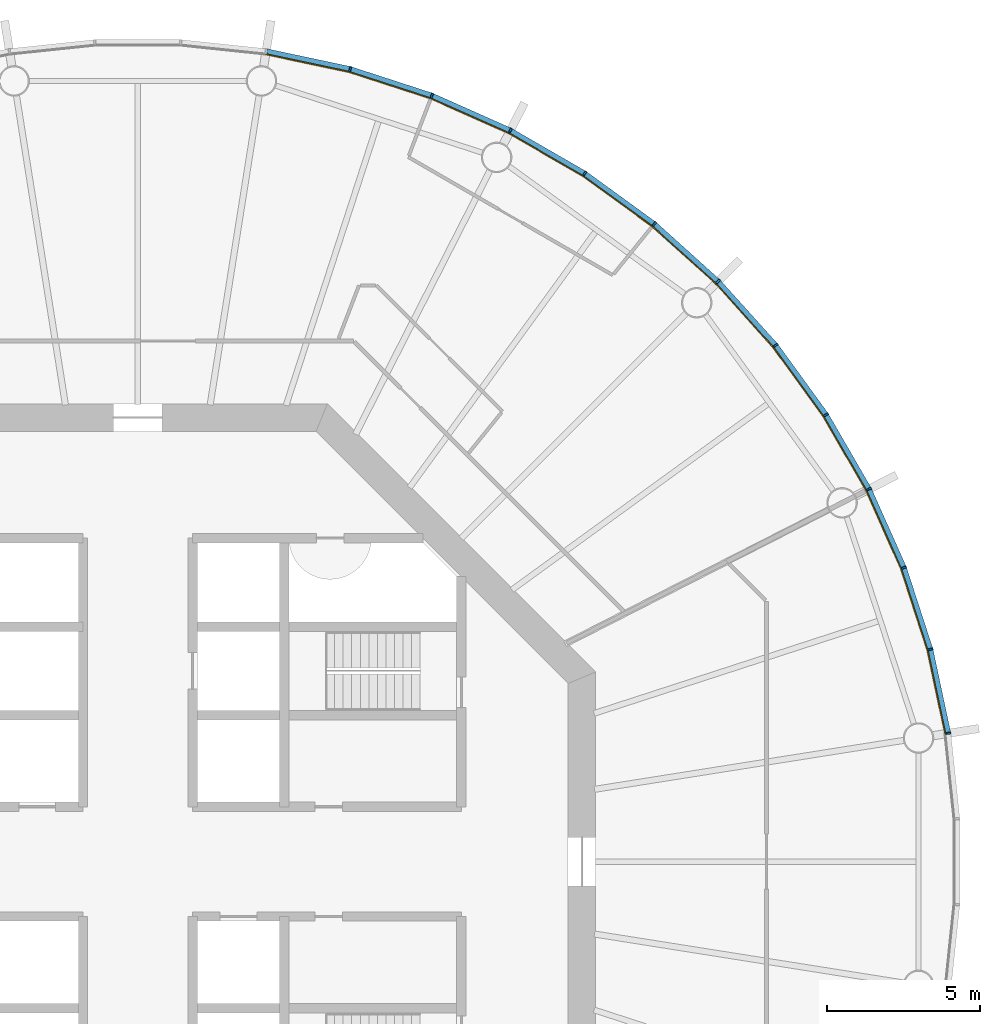
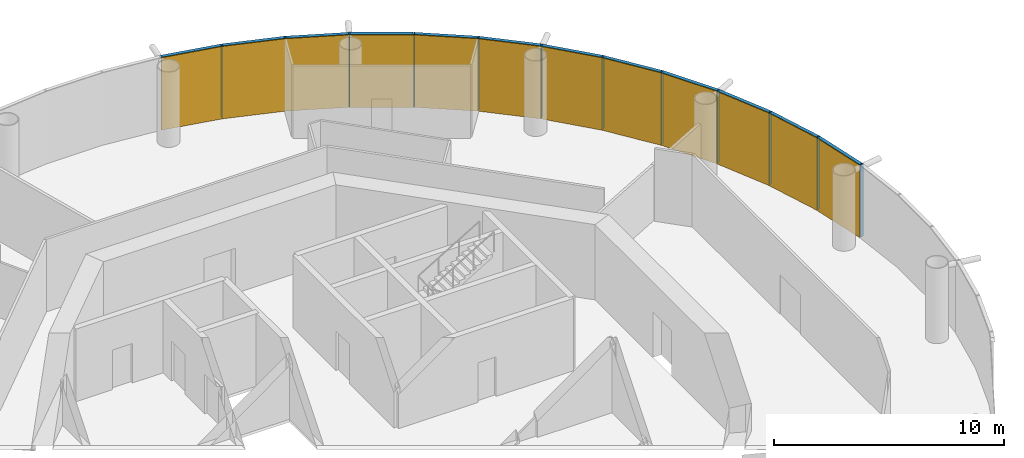
# One storey, part 12 of 13: 24 members, 4 curtain walls.
"""IFC4 building model written with IfcOpenShell, lengths in metres."""

from ifc_helpers import new_model, si_unit, direction, frame, origin, origin_2d, place, context, subcontext, project, spatial, polyline, rectangle, outline, extrude, material, layer, layer_set, material_profile, profile_set, type_object, element, aggregate, save


model = new_model("IFC4")

# Units and contexts
model_context = context("Model", 3, precision=1e-05, world=origin(), true_north=direction((0.0, 1.0)))
body_context = subcontext(model_context, "Body", "Model", "MODEL_VIEW")
ifc_project = project(units=[si_unit("LENGTHUNIT", "METRE"), si_unit("AREAUNIT", "SQUARE_METRE"), si_unit("VOLUMEUNIT", "CUBIC_METRE"), si_unit("PLANEANGLEUNIT", "RADIAN"), si_unit("MASSUNIT", "GRAM", prefix="KILO")], contexts=[model_context])

# Member
ifc_material_1 = material(Name="Anodised aluminium", Category="aluminium")
ifc_material_profile_1 = material_profile(ifc_material_1, rectangle(XDim=0.06005859375, YDim=0.169921875, at=origin_2d()), Name="Mullion 60 x 170 mm anodised aluminium")
ifc_profile_set_1 = profile_set([ifc_material_profile_1], Name="Anodised aluminium")
member_type_1 = type_object("IfcMemberType", Name="Mullion 60 x 170 mm anodised aluminium", PredefinedType="MULLION", material=ifc_profile_set_1)
site_placement = place(None, origin())
building_placement = place(site_placement, origin())
storey_placement = place(building_placement, frame((0.0, 0.0, 226.0)))
member_1_placement = place(storey_placement, frame((116.553955078125, 84.205810546875, 0.0), z_axis=(0.0, 0.0, 1.0), x_axis=(-0.15643446504, 0.987688340595, 0.0)))
member_1 = element("IfcMember", 1, at=member_1_placement, type_object=member_type_1, Name="MULLION L52-00", PredefinedType="MULLION", context=body_context, shape_type="SweptSolid", body=[
    extrude(rectangle(XDim=0.06005859375, YDim=0.169921875, at=origin_2d()), origin(), (0.0, 0.0, 1.0), 3.85009765625),
])

member_2_placement = place(storey_placement, frame((115.968994140625, 86.958251953125, 0.0), z_axis=(0.0, 0.0, 1.0), x_axis=(-0.258819045103, 0.965925826289, 0.0)))
member_2 = element("IfcMember", 2, at=member_2_placement, type_object=member_type_1, Name="MULLION L52-01", PredefinedType="MULLION", context=body_context, shape_type="SweptSolid", body=[
    extrude(rectangle(XDim=0.06005859375, YDim=0.169921875, at=origin_2d()), origin(), (0.0, 0.0, 1.0), 3.85009765625),
])

member_3_placement = place(storey_placement, frame((115.099365234375, 89.634765625, 0.0), z_axis=(0.0, 0.0, 1.0), x_axis=(-0.358367949545, 0.933580426497, 0.0)))
member_3 = element("IfcMember", 3, at=member_3_placement, type_object=member_type_1, Name="MULLION L52-02", PredefinedType="MULLION", context=body_context, shape_type="SweptSolid", body=[
    extrude(rectangle(XDim=0.06005859375, YDim=0.169921875, at=origin_2d()), origin(), (0.0, 0.0, 1.0), 3.85009765625),
])

member_4_placement = place(storey_placement, frame((113.95458984375, 92.20556640625, 0.0), z_axis=(0.0, 0.0, 1.0), x_axis=(-0.45399049974, 0.891006524188, 0.0)))
member_4 = element("IfcMember", 4, at=member_4_placement, type_object=member_type_1, Name="MULLION L52-03", PredefinedType="MULLION", context=body_context, shape_type="SweptSolid", body=[
    extrude(rectangle(XDim=0.06005859375, YDim=0.169921875, at=origin_2d()), origin(), (0.0, 0.0, 1.0), 3.85009765625),
])

member_5_placement = place(storey_placement, frame((112.547607421875, 94.642578125, 0.0), z_axis=(0.0, 0.0, 1.0), x_axis=(-0.544639035015, 0.838670567945, 0.0)))
member_5 = element("IfcMember", 5, at=member_5_placement, type_object=member_type_1, Name="MULLION L52-04", PredefinedType="MULLION", context=body_context, shape_type="SweptSolid", body=[
    extrude(rectangle(XDim=0.06005859375, YDim=0.169921875, at=origin_2d()), origin(), (0.0, 0.0, 1.0), 3.85009765625),
])

member_6_placement = place(storey_placement, frame((110.8935546875, 96.919189453125, 0.0), z_axis=(0.0, 0.0, 1.0), x_axis=(-0.62932039105, 0.777145961457, 0.0)))
member_6 = element("IfcMember", 6, at=member_6_placement, type_object=member_type_1, Name="MULLION L52-05", PredefinedType="MULLION", context=body_context, shape_type="SweptSolid", body=[
    extrude(rectangle(XDim=0.06005859375, YDim=0.169921875, at=origin_2d()), origin(), (0.0, 0.0, 1.0), 3.85009765625),
])

member_7_placement = place(storey_placement, frame((109.010498046875, 99.010498046875, 0.0), z_axis=(0.0, 0.0, 1.0), x_axis=(-0.707106781187, 0.707106781187, 0.0)))
member_7 = element("IfcMember", 7, at=member_7_placement, type_object=member_type_1, Name="MULLION L52-06", PredefinedType="MULLION", context=body_context, shape_type="SweptSolid", body=[
    extrude(rectangle(XDim=0.06005859375, YDim=0.169921875, at=origin_2d()), origin(), (0.0, 0.0, 1.0), 3.85009765625),
])

member_8_placement = place(storey_placement, frame((106.919189453125, 100.8935546875, 0.0), z_axis=(0.0, 0.0, 1.0), x_axis=(-0.777145961457, 0.62932039105, 0.0)))
member_8 = element("IfcMember", 8, at=member_8_placement, type_object=member_type_1, Name="MULLION L52-07", PredefinedType="MULLION", context=body_context, shape_type="SweptSolid", body=[
    extrude(rectangle(XDim=0.06005859375, YDim=0.169921875, at=origin_2d()), origin(), (0.0, 0.0, 1.0), 3.85009765625),
])

member_9_placement = place(storey_placement, frame((104.642578125, 102.547607421875, 0.0), z_axis=(0.0, 0.0, 1.0), x_axis=(-0.838670567945, 0.544639035015, 0.0)))
member_9 = element("IfcMember", 9, at=member_9_placement, type_object=member_type_1, Name="MULLION L52-08", PredefinedType="MULLION", context=body_context, shape_type="SweptSolid", body=[
    extrude(rectangle(XDim=0.06005859375, YDim=0.169921875, at=origin_2d()), origin(), (0.0, 0.0, 1.0), 3.85009765625),
])

member_10_placement = place(storey_placement, frame((102.20556640625, 103.95458984375, 0.0), z_axis=(0.0, 0.0, 1.0), x_axis=(-0.891006524188, 0.45399049974, 0.0)))
member_10 = element("IfcMember", 10, at=member_10_placement, type_object=member_type_1, Name="MULLION L52-09", PredefinedType="MULLION", context=body_context, shape_type="SweptSolid", body=[
    extrude(rectangle(XDim=0.06005859375, YDim=0.169921875, at=origin_2d()), origin(), (0.0, 0.0, 1.0), 3.85009765625),
])

member_11_placement = place(storey_placement, frame((99.634765625, 105.099365234375, 0.0), z_axis=(0.0, 0.0, 1.0), x_axis=(-0.933580426497, 0.358367949545, 0.0)))
member_11 = element("IfcMember", 11, at=member_11_placement, type_object=member_type_1, Name="MULLION L52-10", PredefinedType="MULLION", context=body_context, shape_type="SweptSolid", body=[
    extrude(rectangle(XDim=0.06005859375, YDim=0.169921875, at=origin_2d()), origin(), (0.0, 0.0, 1.0), 3.85009765625),
])

member_12_placement = place(storey_placement, frame((96.958251953125, 105.968994140625, 0.0), z_axis=(0.0, 0.0, 1.0), x_axis=(-0.965925826289, 0.258819045103, 0.0)))
member_12 = element("IfcMember", 12, at=member_12_placement, type_object=member_type_1, Name="MULLION L52-11", PredefinedType="MULLION", context=body_context, shape_type="SweptSolid", body=[
    extrude(rectangle(XDim=0.06005859375, YDim=0.169921875, at=origin_2d()), origin(), (0.0, 0.0, 1.0), 3.85009765625),
])

ifc_material_2 = material(Name="Anodised aluminium", Category="aluminium")
ifc_material_profile_2 = material_profile(ifc_material_2, rectangle(XDim=0.169921875, YDim=0.1650390625, at=origin_2d()), Name="Transom 165 x 170 mm anodised aluminium")
ifc_profile_set_2 = profile_set([ifc_material_profile_2], Name="Anodised aluminium")
member_type_2 = type_object("IfcMemberType", Name="Transom 165 x 170 mm anodised aluminium", PredefinedType="USERDEFINED", material=ifc_profile_set_2)
member_13_placement = place(storey_placement, frame((116.546875, 84.239501953125, 3.767578125), z_axis=(-0.207937468562, 0.97814212115, 0.0), x_axis=(-0.97814212115, -0.207937468562, 0.0)))
member_13 = element("IfcMember", 13, at=member_13_placement, type_object=member_type_2, Name="TRANSOM L52-00", ObjectType="TRANSOM", PredefinedType="USERDEFINED", context=body_context, shape_type="SweptSolid", body=[
    extrude(rectangle(XDim=0.169921875, YDim=0.1650390625, at=origin_2d()), origin(), (0.0, 0.0, 1.0), 2.7451171875),
])

member_14_placement = place(storey_placement, frame((115.95849609375, 86.9912109375, 3.767578125), z_axis=(-0.309041831781, 0.951048445774, 0.0), x_axis=(-0.951048445774, -0.309041831781, 0.0)))
member_14 = element("IfcMember", 14, at=member_14_placement, type_object=member_type_2, Name="TRANSOM L52-01", ObjectType="TRANSOM", PredefinedType="USERDEFINED", context=body_context, shape_type="SweptSolid", body=[
    extrude(rectangle(XDim=0.169921875, YDim=0.1650390625, at=origin_2d()), origin(), (0.0, 0.0, 1.0), 2.7451171875),
])

member_15_placement = place(storey_placement, frame((115.08544921875, 89.666259765625, 3.767578125), z_axis=(-0.406781987391, 0.913525267704, 0.0), x_axis=(-0.913525267704, -0.406781987391, 0.0)))
member_15 = element("IfcMember", 15, at=member_15_placement, type_object=member_type_2, Name="TRANSOM L52-02", ObjectType="TRANSOM", PredefinedType="USERDEFINED", context=body_context, shape_type="SweptSolid", body=[
    extrude(rectangle(XDim=0.169921875, YDim=0.1650390625, at=origin_2d()), origin(), (0.0, 0.0, 1.0), 2.7451171875),
])

member_16_placement = place(storey_placement, frame((113.9375, 92.2353515625, 3.767578125), z_axis=(-0.49998419723, 0.866034527326, 0.0), x_axis=(-0.866034527326, -0.49998419723, 0.0)))
member_16 = element("IfcMember", 16, at=member_16_placement, type_object=member_type_2, Name="TRANSOM L52-03", ObjectType="TRANSOM", PredefinedType="USERDEFINED", context=body_context, shape_type="SweptSolid", body=[
    extrude(rectangle(XDim=0.169921875, YDim=0.1650390625, at=origin_2d()), origin(), (0.0, 0.0, 1.0), 2.7451171875),
])

member_17_placement = place(storey_placement, frame((112.527587890625, 94.670654296875, 3.767578125), z_axis=(-0.587864947412, 0.808959086484, 0.0), x_axis=(-0.808959086484, -0.587864947412, 0.0)))
member_17 = element("IfcMember", 17, at=member_17_placement, type_object=member_type_2, Name="TRANSOM L52-04", ObjectType="TRANSOM", PredefinedType="USERDEFINED", context=body_context, shape_type="SweptSolid", body=[
    extrude(rectangle(XDim=0.169921875, YDim=0.1650390625, at=origin_2d()), origin(), (0.0, 0.0, 1.0), 2.7451171875),
])

member_18_placement = place(storey_placement, frame((110.87060546875, 96.945068359375, 3.767578125), z_axis=(-0.669141598561, 0.743134927907, 0.0), x_axis=(-0.743134927907, -0.669141598561, 0.0)))
member_18 = element("IfcMember", 18, at=member_18_placement, type_object=member_type_2, Name="TRANSOM L52-05", ObjectType="TRANSOM", PredefinedType="USERDEFINED", context=body_context, shape_type="SweptSolid", body=[
    extrude(rectangle(XDim=0.169921875, YDim=0.1650390625, at=origin_2d()), origin(), (0.0, 0.0, 1.0), 2.7451171875),
])

member_19_placement = place(storey_placement, frame((108.985107421875, 99.03369140625, 3.767578125), z_axis=(-0.743134927907, 0.669141598561, 0.0), x_axis=(-0.669141598561, -0.743134927907, 0.0)))
member_19 = element("IfcMember", 19, at=member_19_placement, type_object=member_type_2, Name="TRANSOM L52-06", ObjectType="TRANSOM", PredefinedType="USERDEFINED", context=body_context, shape_type="SweptSolid", body=[
    extrude(rectangle(XDim=0.169921875, YDim=0.1650390625, at=origin_2d()), origin(), (0.0, 0.0, 1.0), 2.7451171875),
])

member_20_placement = place(storey_placement, frame((106.891357421875, 100.913818359375, 3.767578125), z_axis=(-0.808959086484, 0.587864947412, 0.0), x_axis=(-0.587864947412, -0.808959086484, 0.0)))
member_20 = element("IfcMember", 20, at=member_20_placement, type_object=member_type_2, Name="TRANSOM L52-07", ObjectType="TRANSOM", PredefinedType="USERDEFINED", context=body_context, shape_type="SweptSolid", body=[
    extrude(rectangle(XDim=0.169921875, YDim=0.1650390625, at=origin_2d()), origin(), (0.0, 0.0, 1.0), 2.7451171875),
])

member_21_placement = place(storey_placement, frame((104.61279296875, 102.56494140625, 3.767578125), z_axis=(-0.866034527326, 0.49998419723, 0.0), x_axis=(-0.49998419723, -0.866034527326, 0.0)))
member_21 = element("IfcMember", 21, at=member_21_placement, type_object=member_type_2, Name="TRANSOM L52-08", ObjectType="TRANSOM", PredefinedType="USERDEFINED", context=body_context, shape_type="SweptSolid", body=[
    extrude(rectangle(XDim=0.169921875, YDim=0.1650390625, at=origin_2d()), origin(), (0.0, 0.0, 1.0), 2.7451171875),
])

member_22_placement = place(storey_placement, frame((102.174072265625, 103.96875, 3.767578125), z_axis=(-0.913525267704, 0.406781987391, 0.0), x_axis=(-0.406781987391, -0.913525267704, 0.0)))
member_22 = element("IfcMember", 22, at=member_22_placement, type_object=member_type_2, Name="TRANSOM L52-09", ObjectType="TRANSOM", PredefinedType="USERDEFINED", context=body_context, shape_type="SweptSolid", body=[
    extrude(rectangle(XDim=0.169921875, YDim=0.1650390625, at=origin_2d()), origin(), (0.0, 0.0, 1.0), 2.7451171875),
])

member_23_placement = place(storey_placement, frame((99.60205078125, 105.110107421875, 3.767578125), z_axis=(-0.951048445774, 0.309041831781, 0.0), x_axis=(-0.309041831781, -0.951048445774, 0.0)))
member_23 = element("IfcMember", 23, at=member_23_placement, type_object=member_type_2, Name="TRANSOM L52-10", ObjectType="TRANSOM", PredefinedType="USERDEFINED", context=body_context, shape_type="SweptSolid", body=[
    extrude(rectangle(XDim=0.169921875, YDim=0.1650390625, at=origin_2d()), origin(), (0.0, 0.0, 1.0), 2.7451171875),
])

member_24_placement = place(storey_placement, frame((96.924560546875, 105.97607421875, 3.767578125), z_axis=(-0.97814212115, 0.207937468562, 0.0), x_axis=(-0.207937468562, -0.97814212115, 0.0)))
member_24 = element("IfcMember", 24, at=member_24_placement, type_object=member_type_2, Name="TRANSOM L52-11", ObjectType="TRANSOM", PredefinedType="USERDEFINED", context=body_context, shape_type="SweptSolid", body=[
    extrude(rectangle(XDim=0.169921875, YDim=0.1650390625, at=origin_2d()), origin(), (0.0, 0.0, 1.0), 2.7451171875),
])

# Site, building, storey
site = spatial("IfcSite", under=ifc_project, at=site_placement, CompositionType="ELEMENT")
building = spatial("IfcBuilding", under=site, at=building_placement, Name="Entoto Ring Tower", CompositionType="ELEMENT")
storey = spatial("IfcBuildingStorey", under=building, at=storey_placement, Name="L52", CompositionType="ELEMENT", Elevation=226.0)

# Curtain wall
ifc_material_3 = material(Name="Clear low-iron glass", Category="glass")
ifc_layer = layer(ifc_material_3, 0.031982421875)
ifc_layer_set = layer_set([ifc_layer], Name="Clear low-iron glass")
curtain_wall_type = type_object("IfcCurtainWallType", Name="Curtain wall system CW4 glazing 32 mm", PredefinedType="NOTDEFINED", material=ifc_layer_set)
curtain_wall_1_placement = place(storey_placement, origin())
curtain_wall_1 = element("IfcCurtainWall", 25, at=curtain_wall_1_placement, inside=storey, type_object=curtain_wall_type, Name="CW4 L52-01", PredefinedType="NOTDEFINED", context=body_context, shape_type="SweptSolid", body=[
    extrude(outline(polyline([(116.469970703125, 84.1923828125), (115.88671875, 86.936279296875), (115.02001953125, 89.604248046875), (113.87890625, 92.1669921875), (113.850341796875, 92.15234375), (114.989990234375, 89.5927734375), (115.85595703125, 86.927978515625), (116.4384765625, 84.1875), (116.469970703125, 84.1923828125)])), origin(), (0.0, 0.0, 1.0), 3.85009765625),
])

aggregate(curtain_wall_1, [member_1, member_2, member_3, member_13, member_14, member_15])

curtain_wall_2_placement = place(storey_placement, origin())
curtain_wall_2 = element("IfcCurtainWall", 26, at=curtain_wall_2_placement, inside=storey, type_object=curtain_wall_type, Name="CW4 L52-02", PredefinedType="NOTDEFINED", context=body_context, shape_type="SweptSolid", body=[
    extrude(outline(polyline([(113.87890625, 92.1669921875), (112.476318359375, 94.596435546875), (110.827392578125, 96.86572265625), (108.950439453125, 98.950439453125), (108.927734375, 98.927734375), (110.802490234375, 96.845703125), (112.449462890625, 94.578857421875), (113.850341796875, 92.15234375), (113.87890625, 92.1669921875)])), origin(), (0.0, 0.0, 1.0), 3.85009765625),
])

aggregate(curtain_wall_2, [member_4, member_5, member_6, member_16, member_17, member_18])

curtain_wall_3_placement = place(storey_placement, origin())
curtain_wall_3 = element("IfcCurtainWall", 27, at=curtain_wall_3_placement, inside=storey, type_object=curtain_wall_type, Name="CW4 L52-03", PredefinedType="NOTDEFINED", context=body_context, shape_type="SweptSolid", body=[
    extrude(outline(polyline([(108.950439453125, 98.950439453125), (106.86572265625, 100.827392578125), (104.596435546875, 102.476318359375), (102.1669921875, 103.87890625), (102.15234375, 103.850341796875), (104.578857421875, 102.449462890625), (106.845703125, 100.802490234375), (108.927734375, 98.927734375), (108.950439453125, 98.950439453125)])), origin(), (0.0, 0.0, 1.0), 3.85009765625),
])

aggregate(curtain_wall_3, [member_7, member_8, member_9, member_19, member_20, member_21])

curtain_wall_4_placement = place(storey_placement, origin())
curtain_wall_4 = element("IfcCurtainWall", 28, at=curtain_wall_4_placement, inside=storey, type_object=curtain_wall_type, Name="CW4 L52-04", PredefinedType="NOTDEFINED", context=body_context, shape_type="SweptSolid", body=[
    extrude(outline(polyline([(102.1669921875, 103.87890625), (99.604248046875, 105.02001953125), (96.936279296875, 105.88671875), (94.1923828125, 106.469970703125), (94.1875, 106.4384765625), (96.927978515625, 105.85595703125), (99.5927734375, 104.989990234375), (102.15234375, 103.850341796875), (102.1669921875, 103.87890625)])), origin(), (0.0, 0.0, 1.0), 3.85009765625),
])

aggregate(curtain_wall_4, [member_10, member_11, member_12, member_22, member_23, member_24])

save(model, "model.ifc")
